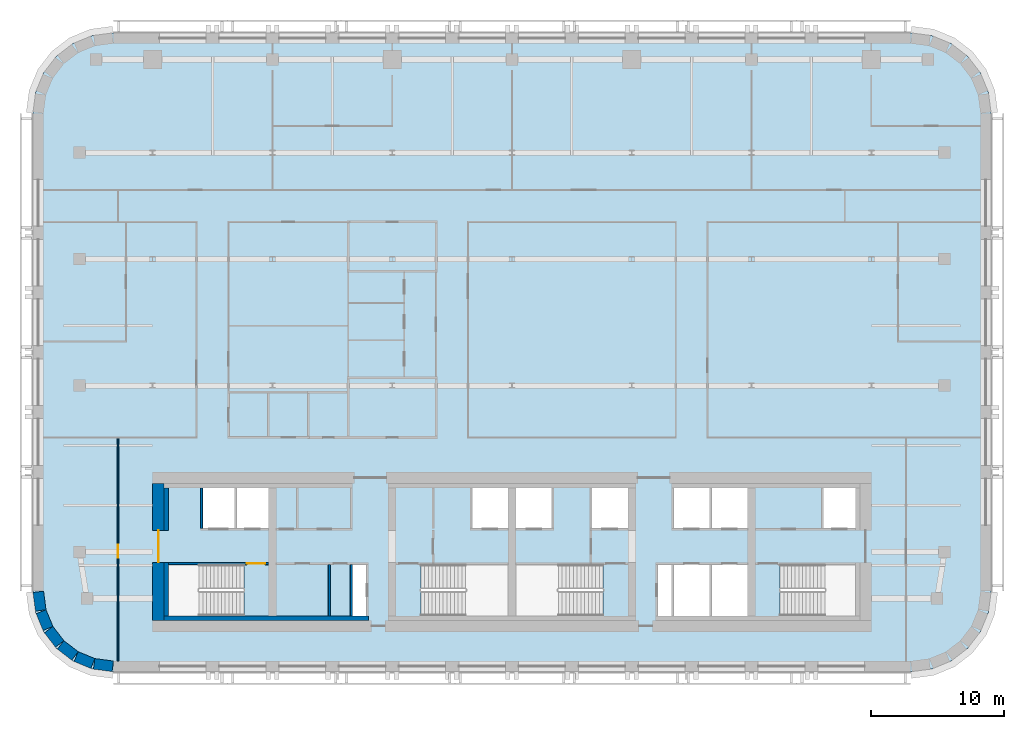
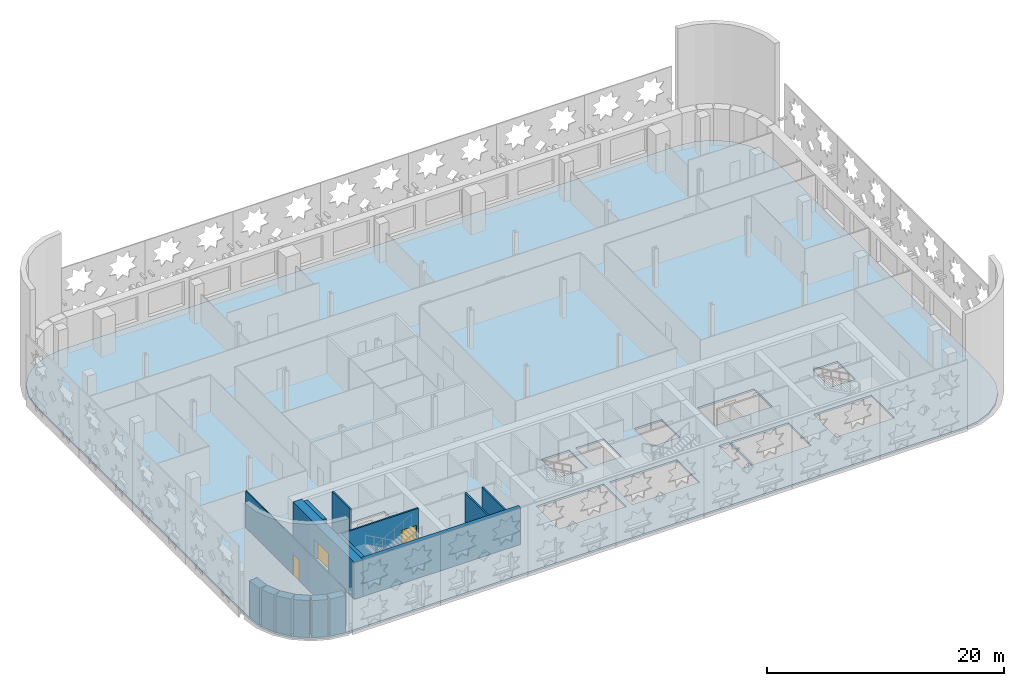
# One storey, part 2 of 14: 15 walls, 3 doors, 1 slab, 3 openings.
"""IFC4 building model written with IfcOpenShell, lengths in metres."""

import ifcopenshell
import ifcopenshell.guid

model = None  # the IFC model being written
_history = None  # IfcOwnerHistory: only IFC2X3 demands one
_inside = {}  # id of a spatial element -> (the spatial element, [elements in it])
_under = {}  # id of a project, library or spatial element -> (it, [spatial elements below it])
_declared = {}  # id of a project -> (the project, [libraries it declares])
_typed = {}  # id of a type object -> (the type object, [elements of that type])
_made_of = {}  # id of a material, layer set ... -> (it, [elements and type objects made of it])


def new_model(schema):
    """Start an empty IFC model of exactly this schema.

    Asked for "IFC4X3", IfcOpenShell would pick the latest addendum, in which some entities
    have other attributes; the version numbers below select the first issue.
    IFC2X3 requires an IfcOwnerHistory on every rooted entity: one is made here for all.
    """
    global model, _history
    if schema == "IFC4X3":
        model = ifcopenshell.file(schema_version=(4, 3, 0, 0))
    else:
        model = ifcopenshell.file(schema=schema)
    _inside.clear()
    _under.clear()
    _declared.clear()
    _typed.clear()
    _made_of.clear()
    _history = None
    if model.schema == "IFC2X3":
        org = make("IfcOrganization", Name="unknown")
        user = make(
            "IfcPersonAndOrganization",
            ThePerson=make("IfcPerson", FamilyName="unknown"),
            TheOrganization=org,
        )
        app = make(
            "IfcApplication",
            ApplicationDeveloper=org,
            Version="unknown",
            ApplicationFullName="unknown",
            ApplicationIdentifier="unknown",
        )
        _history = make(
            "IfcOwnerHistory",
            OwningUser=user,
            OwningApplication=app,
            ChangeAction="ADDED",
            CreationDate=0,
        )
    return model


def make(cls, **values):
    """One entity of the class cls with the attributes given. An attribute that is None is left unset."""
    return model.create_entity(
        cls, **{name: value for name, value in values.items() if value is not None}
    )


def rooted(cls, **values):
    """An entity with a GlobalId (a new one), such as an element, a storey or a relation."""
    return make(cls, GlobalId=ifcopenshell.guid.new(), OwnerHistory=_history, **values)


def si_unit(unit_type, name, prefix=None):
    """IfcSIUnit, for example si_unit("LENGTHUNIT", "METRE", prefix="MILLI")."""
    return make("IfcSIUnit", UnitType=unit_type, Prefix=prefix, Name=name)


def assignment(units):
    """IfcUnitAssignment: the units of a project."""
    return None if units is None else make("IfcUnitAssignment", Units=units)


def point(xyz):
    """IfcCartesianPoint."""
    return None if xyz is None else make("IfcCartesianPoint", Coordinates=xyz)


def direction(xyz):
    """IfcDirection."""
    return None if xyz is None else make("IfcDirection", DirectionRatios=xyz)


def frame(location, z_axis=None, x_axis=None):
    """IfcAxis2Placement3D, a coordinate frame: its origin and axes. An axis left out is left unset."""
    return make(
        "IfcAxis2Placement3D",
        Location=point(location),
        Axis=direction(z_axis),
        RefDirection=direction(x_axis),
    )


def frame_2d(location, x_axis=None):
    """IfcAxis2Placement2D, a coordinate frame in the plane: its origin and x axis."""
    return make(
        "IfcAxis2Placement2D", Location=point(location), RefDirection=direction(x_axis)
    )


def origin():
    """The frame at (0, 0, 0) with its axes left unset."""
    return frame((0.0, 0.0, 0.0))


def place(relative_to, where):
    """IfcLocalPlacement: puts the frame where relative to a parent placement (None: the world)."""
    return make(
        "IfcLocalPlacement", PlacementRelTo=relative_to, RelativePlacement=where
    )


def context(
    kind, dimensions, precision=None, world=None, true_north=None, identifier=None
):
    """IfcGeometricRepresentationContext, for example the 3D "Model" context."""
    return make(
        "IfcGeometricRepresentationContext",
        ContextIdentifier=identifier,
        ContextType=kind,
        CoordinateSpaceDimension=dimensions,
        Precision=precision,
        WorldCoordinateSystem=world,
        TrueNorth=true_north,
    )


def subcontext(parent, identifier, kind, view, scale=None):
    """IfcGeometricRepresentationSubContext, for example "Body" below "Model"."""
    return make(
        "IfcGeometricRepresentationSubContext",
        ContextIdentifier=identifier,
        ContextType=kind,
        ParentContext=parent,
        TargetScale=scale,
        TargetView=view,
    )


def project(units=None, contexts=None):
    """IfcProject with its units and contexts."""
    return rooted(
        "IfcProject",
        Name="project",
        RepresentationContexts=contexts,
        UnitsInContext=assignment(units),
    )


def spatial(cls, under=None, at=None, **own):
    """A site, building, storey or space (cls), placed at a placement, below another one or the project."""
    s = rooted(cls, ObjectPlacement=at, **own)
    if under is not None:
        _under.setdefault(under.id(), (under, []))[1].append(s)
    return s


def polyline(points):
    """IfcPolyline through the points."""
    return make("IfcPolyline", Points=[point(p) for p in points])


def profile(cls, at=None, kind="AREA", **sizes):
    """A parametric profile (cls). Its sizes go by their IFC names, for example OverallWidth=200.0."""
    return make(cls, ProfileType=kind, Position=at, **sizes)


def rectangle(**sizes):
    """IfcRectangleProfileDef."""
    return profile("IfcRectangleProfileDef", **sizes)


def outline(outer, holes=None, kind="AREA"):
    """IfcArbitraryClosedProfileDef: a profile drawn as a closed curve; with holes, ...WithVoids."""
    if holes is None:
        return make("IfcArbitraryClosedProfileDef", ProfileType=kind, OuterCurve=outer)
    return make(
        "IfcArbitraryProfileDefWithVoids",
        ProfileType=kind,
        OuterCurve=outer,
        InnerCurves=holes,
    )


def extrude(swept, where, along, depth):
    """IfcExtrudedAreaSolid: the profile swept, set in the frame where, extruded along a direction by depth."""
    return make(
        "IfcExtrudedAreaSolid",
        SweptArea=swept,
        Position=where,
        ExtrudedDirection=direction(along),
        Depth=depth,
    )


def shape(context_of_items, identifier, shape_type, items):
    """IfcShapeRepresentation: the items that make up one representation, for example the "Body"."""
    return make(
        "IfcShapeRepresentation",
        ContextOfItems=context_of_items,
        RepresentationIdentifier=identifier,
        RepresentationType=shape_type,
        Items=items,
    )


def material(Name=None, Category=None):
    """IfcMaterial."""
    return make("IfcMaterial", Name=Name, Category=Category)


def layer(
    of_material, thickness, ventilated=None, Name=None, Category=None, Priority=None
):
    """IfcMaterialLayer: one layer of a wall or slab, of a material (None: an air gap)."""
    return make(
        "IfcMaterialLayer",
        Material=of_material,
        LayerThickness=thickness,
        IsVentilated=ventilated,
        Name=Name,
        Category=Category,
        Priority=Priority,
    )


def layer_set(layers, Name=None):
    """IfcMaterialLayerSet."""
    return make("IfcMaterialLayerSet", MaterialLayers=layers, LayerSetName=Name)


def made_of(thing, what):
    """Note that an element or type object is made of a material, layer set ...; save() writes the relation."""
    if what is not None:
        _made_of.setdefault(what.id(), (what, []))[1].append(thing)
    return thing


def type_object(cls, material=None, **own):
    """A type object (cls), such as IfcWallType, which elements share."""
    return made_of(rooted(cls, **own), material)


def element(
    cls,
    number,
    at=None,
    inside=None,
    cuts=None,
    type_object=None,
    material=None,
    context=None,
    identifier="Body",
    shape_type=None,
    held_by="IfcProductDefinitionShape",
    body=None,
    shapes=None,
    **own,
):
    """One element of the class cls, such as IfcWall. Its Tag is "e" and its number.

    at: its placement. inside: the storey or other place that contains it. cuts: it is an
    opening in that element (IfcRelVoidsElement). A single representation is given by context,
    identifier, shape_type and body (its items); several are given by shapes. held_by: the class
    of the entity that holds the representations. save() writes the other relations.
    """
    e = rooted(cls, Tag="e%d" % number, ObjectPlacement=at, **own)
    if body is not None:
        shapes = [shape(context, identifier, shape_type, body)]
    if shapes is not None:
        e.Representation = make(held_by, Representations=shapes)
    if inside is not None:
        _inside.setdefault(inside.id(), (inside, []))[1].append(e)
    if cuts is not None:
        rooted(
            "IfcRelVoidsElement", RelatingBuildingElement=cuts, RelatedOpeningElement=e
        )
    if type_object is not None:
        _typed.setdefault(type_object.id(), (type_object, []))[1].append(e)
    return made_of(e, material)


def fill(opening, filler):
    """IfcRelFillsElement: the door or window that sits in an opening."""
    return rooted(
        "IfcRelFillsElement",
        RelatingOpeningElement=opening,
        RelatedBuildingElement=filler,
    )


def aggregate(whole, parts):
    """IfcRelAggregates: a whole, such as a stair, and the parts it consists of."""
    return rooted("IfcRelAggregates", RelatingObject=whole, RelatedObjects=parts)


def save(model, path):
    """Write the relations noted so far, then the file.

    IfcRelAggregates (storeys below a building ...), IfcRelContainedInSpatialStructure (elements
    in a storey), IfcRelDefinesByType, IfcRelAssociatesMaterial and IfcRelDeclares: one each for
    every whole, place, type object, material and project.
    """
    for whole, parts in _under.values():
        aggregate(whole, parts)
    for where, things in _inside.values():
        rooted(
            "IfcRelContainedInSpatialStructure",
            RelatedElements=things,
            RelatingStructure=where,
        )
    for kind, things in _typed.values():
        rooted("IfcRelDefinesByType", RelatedObjects=things, RelatingType=kind)
    for what, things in _made_of.values():
        rooted("IfcRelAssociatesMaterial", RelatedObjects=things, RelatingMaterial=what)
    for by, libraries in _declared.values():
        rooted("IfcRelDeclares", RelatingContext=by, RelatedDefinitions=libraries)
    model.write(path)


model = new_model("IFC4")

# Units and contexts
model_context = context("Model", 3, precision=1e-05, world=origin(), true_north=direction((0.0, 1.0)))
body_context = subcontext(model_context, "Body", "Model", "MODEL_VIEW")
ifc_project = project(units=[si_unit("LENGTHUNIT", "METRE"), si_unit("AREAUNIT", "SQUARE_METRE"), si_unit("VOLUMEUNIT", "CUBIC_METRE"), si_unit("PLANEANGLEUNIT", "RADIAN"), si_unit("MASSUNIT", "GRAM", prefix="KILO")], contexts=[model_context])

# Site, building, storey
site_placement = place(None, origin())
site = spatial("IfcSite", under=ifc_project, at=site_placement, CompositionType="ELEMENT")
building_placement = place(site_placement, origin())
building = spatial("IfcBuilding", under=site, at=building_placement, Name="Zellij Exchange Tower", CompositionType="ELEMENT")
storey_placement = place(building_placement, frame((0.0, 0.0, 164.5)))
storey = spatial("IfcBuildingStorey", under=building, at=storey_placement, Name="L37", CompositionType="ELEMENT", Elevation=164.5)

# Slab
ifc_material_1 = material(Name="Concrete C40/50", Category="concrete")
ifc_layer_1 = layer(ifc_material_1, 0.199951171875)
ifc_layer_set_1 = layer_set([ifc_layer_1], Name="Concrete C40/50")
slab_type = type_object("IfcSlabType", Name="STR-FLOOR SLAB 200 C40/50", PredefinedType="FLOOR", material=ifc_layer_set_1)
slab_placement = place(storey_placement, frame((0.0, 0.0, -0.2001953125)))
element("IfcSlab", 1, at=slab_placement, inside=storey, type_object=slab_type, Name="Floor L37", PredefinedType="FLOOR", context=body_context, shape_type="SweptSolid", body=[
    extrude(outline(polyline([(-30.0, -17.0), (-31.552978515625, -16.795654296875), (-33.0, -16.1962890625), (-34.24267578125, -15.24267578125), (-35.1962890625, -14.0), (-35.795654296875, -12.552978515625), (-36.0, -11.0), (-36.0, 25.0), (-35.795654296875, 26.552978515625), (-35.1962890625, 28.0), (-34.24267578125, 29.24267578125), (-33.0, 30.1962890625), (-31.552978515625, 30.795654296875), (-30.0, 31.0), (30.0, 31.0), (31.552978515625, 30.795654296875), (33.0, 30.1962890625), (34.24267578125, 29.24267578125), (35.1962890625, 28.0), (35.795654296875, 26.552978515625), (36.0, 25.0), (36.0, -11.0), (35.795654296875, -12.552978515625), (35.1962890625, -14.0), (34.24267578125, -15.24267578125), (33.0, -16.1962890625), (31.552978515625, -16.795654296875), (30.0, -17.0), (-30.0, -17.0)]), holes=[polyline([(-25.800048828125, -8.949951171875), (-25.800048828125, -12.800048828125), (-20.153076171875, -12.800048828125), (-20.153076171875, -8.949951171875), (-25.800048828125, -8.949951171875)]), polyline([(-10.949951171875, -8.949951171875), (-12.0, -8.949951171875), (-12.0, -12.800048828125), (-10.949951171875, -12.800048828125), (-10.949951171875, -8.949951171875)]), polyline([(-0.300048828125, -8.949951171875), (-6.846923828125, -8.949951171875), (-6.846923828125, -12.800048828125), (-0.300048828125, -12.800048828125), (-0.300048828125, -8.949951171875)]), polyline([(0.300048828125, -8.949951171875), (0.300048828125, -12.800048828125), (6.846923828125, -12.800048828125), (6.846923828125, -8.949951171875), (0.300048828125, -8.949951171875)]), polyline([(-18.300048828125, -3.199951171875), (-23.25, -3.199951171875), (-23.25, -6.22509765625), (-18.300048828125, -6.22509765625), (-18.300048828125, -3.199951171875)]), polyline([(-0.300048828125, -3.199951171875), (-3.0, -3.199951171875), (-3.0, -6.22509765625), (-0.300048828125, -6.22509765625), (-0.300048828125, -3.199951171875)]), polyline([(0.300048828125, -3.199951171875), (0.300048828125, -6.22509765625), (3.0, -6.22509765625), (3.0, -3.199951171875), (0.300048828125, -3.199951171875)]), polyline([(12.0, -8.949951171875), (10.949951171875, -8.949951171875), (10.949951171875, -12.800048828125), (12.0, -12.800048828125), (12.0, -8.949951171875)]), polyline([(17.699951171875, -8.949951171875), (12.14990234375, -8.949951171875), (12.14990234375, -12.800048828125), (17.699951171875, -12.800048828125), (17.699951171875, -8.949951171875)]), polyline([(25.800048828125, -8.949951171875), (20.153076171875, -8.949951171875), (20.153076171875, -12.800048828125), (25.800048828125, -12.800048828125), (25.800048828125, -8.949951171875)]), polyline([(8.699951171875, -3.199951171875), (6.0, -3.199951171875), (6.0, -6.22509765625), (8.699951171875, -6.22509765625), (8.699951171875, -3.199951171875)]), polyline([(17.699951171875, -3.199951171875), (12.14990234375, -3.199951171875), (12.14990234375, -6.22509765625), (17.699951171875, -6.22509765625), (17.699951171875, -3.199951171875)]), polyline([(25.800048828125, -3.199951171875), (23.39990234375, -3.199951171875), (23.39990234375, -6.22509765625), (25.800048828125, -6.22509765625), (25.800048828125, -3.199951171875)])]), origin(), (0.0, 0.0, 1.0), 0.2001953125),
])

# Walls
ifc_material_2 = material(Name="Concrete C30/37", Category="concrete")
ifc_layer_2 = layer(ifc_material_2, 0.35009765625)
ifc_layer_set_2 = layer_set([ifc_layer_2], Name="Concrete C30/37")
wall_type_1 = type_object("IfcWallType", Name="CORE-LW 350 C30/37", PredefinedType="SHEAR", material=ifc_layer_set_2)
wall_1_placement = place(storey_placement, frame((-26.14990234375, -12.97509765625, 0.0), z_axis=(0.0, 0.0, 1.0), x_axis=(1.0, 0.0, 0.0)))
element("IfcWall", 2, at=wall_1_placement, inside=storey, type_object=wall_type_1, Name="Core wall lining rear.0 L37", PredefinedType="SHEAR", context=body_context, shape_type="SweptSolid", body=[
    extrude(rectangle(XDim=15.349853515625, YDim=0.35009765625, at=frame_2d((7.6748046875, 0.0))), origin(), (0.0, 0.0, 1.0), 3.800048828125),
])
wall_2_placement = place(storey_placement, frame((-25.97509765625, -12.800048828125, 0.0), z_axis=(0.0, 0.0, 1.0), x_axis=(0.0, 1.0, 0.0)))
element("IfcWall", 3, at=wall_2_placement, inside=storey, type_object=wall_type_1, Name="Core wall lining end w.0 L37", PredefinedType="SHEAR", context=body_context, shape_type="SweptSolid", body=[
    extrude(rectangle(XDim=4.0, YDim=0.35009765625, at=frame_2d((2.0, 0.0))), origin(), (0.0, 0.0, 1.0), 3.800048828125),
])
wall_3_placement = place(storey_placement, frame((-25.97509765625, -6.375, 0.0), z_axis=(0.0, 0.0, 1.0), x_axis=(0.0, 1.0, 0.0)))
element("IfcWall", 4, at=wall_3_placement, inside=storey, type_object=wall_type_1, Name="Core wall lining end w.1 L37", PredefinedType="SHEAR", context=body_context, shape_type="SweptSolid", body=[
    extrude(rectangle(XDim=3.175048828125, YDim=0.35009765625, at=frame_2d((1.58740234375, 0.0))), origin(), (0.0, 0.0, 1.0), 3.800048828125),
])
ifc_material_3 = material(Name="Gypsum board partition")
ifc_layer_3 = layer(ifc_material_3, 0.14990234375)
ifc_layer_set_3 = layer_set([ifc_layer_3], Name="Gypsum board partition")
wall_type_2 = type_object("IfcWallType", Name="CORE-PW 150 Lift lobby wall", PredefinedType="PARTITIONING", material=ifc_layer_set_3)
for number, where, z_axis, x_axis, name in (
    (5, (-12.074951171875, -12.800048828125, 0.0), (0.0, 0.0, 1.0), (0.0, 1.0, 0.0), "Lift lobby wall L37"),
    (6, (-13.72509765625, -12.800048828125, 0.0), (0.0, 0.0, 1.0), (0.0, 1.0, 0.0), "Lift lobby wall L37"),
):
    element("IfcWall", number, at=place(storey_placement, frame(where, z_axis=z_axis, x_axis=x_axis)), inside=storey, type_object=wall_type_2, Name=name, PredefinedType="PARTITIONING", context=body_context, shape_type="SweptSolid", body=[
        extrude(rectangle(XDim=3.85009765625, YDim=0.14990234375, at=frame_2d((1.925048828125, 0.0))), origin(), (0.0, 0.0, 1.0), 3.800048828125),
    ])
ifc_material_4 = material(Name="Gypsum shaft wall system")
ifc_layer_4 = layer(ifc_material_4, 0.14990234375)
ifc_layer_set_4 = layer_set([ifc_layer_4], Name="Gypsum shaft wall system")
wall_type_3 = type_object("IfcWallType", Name="CORE-PW 150 Lift shaft wall", PredefinedType="PARTITIONING", material=ifc_layer_set_4)
wall_4_placement = place(storey_placement, frame((-23.324951171875, -6.22509765625, 0.0), z_axis=(0.0, 0.0, 1.0), x_axis=(0.0, 1.0, 0.0)))
element("IfcWall", 7, at=wall_4_placement, inside=storey, type_object=wall_type_3, Name="Lift shaft wall L37", PredefinedType="PARTITIONING", context=body_context, shape_type="SweptSolid", body=[
    extrude(rectangle(XDim=3.025146484375, YDim=0.14990234375, at=frame_2d((1.5126953125, 0.0))), origin(), (0.0, 0.0, 1.0), 3.800048828125),
])

# Wall, opening, door
ifc_material_5 = material(Name="Concrete C60/75", Category="concrete")
ifc_layer_5 = layer(ifc_material_5, 0.85009765625)
ifc_layer_set_5 = layer_set([ifc_layer_5], Name="Concrete C60/75")
wall_type_4 = type_object("IfcWallType", Name="CORE-SW 850 C60/75", PredefinedType="SHEAR", material=ifc_layer_set_5)
wall_5_placement = place(storey_placement, frame((-26.574951171875, -13.14990234375, 0.0), z_axis=(0.0, 0.0, 1.0), x_axis=(0.0, 1.0, 0.0)))
wall_5 = element("IfcWall", 8, at=wall_5_placement, inside=storey, type_object=wall_type_4, Name="Core shear wall end w L37", PredefinedType="SHEAR", context=body_context, shape_type="SweptSolid", body=[
    extrude(rectangle(XDim=10.2998046875, YDim=0.85009765625, at=frame_2d((5.14990234375, 0.0))), origin(), (0.0, 0.0, 1.0), 3.800048828125),
])
opening_1_placement = place(wall_5_placement, frame((4.362060546875, 0.0, 0.0)))
opening_1 = element("IfcOpeningElement", 9, at=opening_1_placement, cuts=wall_5, Name="Opening CA-21.01", PredefinedType="OPENING", context=body_context, shape_type="SweptSolid", body=[
    extrude(rectangle(XDim=2.39990234375, YDim=2.10009765625, at=frame_2d((1.199951171875, 1.050048828125))), frame((0.0, 0.43701171875, 0.0), z_axis=(0.0, -1.0, 0.0), x_axis=(1.0, 0.0, 0.0)), (0.0, 0.0, 1.0), 0.8740234375),
])
ifc_material_6 = material(Name="Hollow metal fire door")
door_type_1 = type_object("IfcDoorType", Name="CORE-D CE Core entrance door 2400x2100 20 MIN", OperationType="NOTDEFINED", PredefinedType="DOOR", material=ifc_material_6)
door_1_placement = place(opening_1_placement, origin())
door_1 = element("IfcDoor", 10, at=door_1_placement, inside=storey, type_object=door_type_1, Name="Core entrance door CA-21.01", OperationType="DOUBLE_DOOR_SINGLE_SWING", OverallHeight=2.10009765625, OverallWidth=2.39990234375, PredefinedType="DOOR", context=body_context, shape_type="SweptSolid", body=[
    extrude(rectangle(XDim=2.39990234375, YDim=2.10009765625, at=frame_2d((1.199951171875, 1.050048828125))), frame((0.0, 0.02490234375, 0.0), z_axis=(0.0, -1.0, 0.0), x_axis=(1.0, 0.0, 0.0)), (0.0, 0.0, 1.0), 0.050048828125),
])
fill(opening_1, door_1)

ifc_layer_6 = layer(ifc_material_5, 0.14990234375)
ifc_layer_set_6 = layer_set([ifc_layer_6], Name="Concrete C60/75")
wall_type_5 = type_object("IfcWallType", Name="CORE-SWS 150 C60/75", PredefinedType="SHEAR", material=ifc_layer_set_6)
wall_6_placement = place(storey_placement, frame((-25.800048828125, -8.875, 0.0), z_axis=(0.0, 0.0, 1.0), x_axis=(1.0, 0.0, 0.0)))
wall_6 = element("IfcWall", 11, at=wall_6_placement, inside=storey, type_object=wall_type_5, Name="Stair enclosure wall L37", PredefinedType="SHEAR", context=body_context, shape_type="SweptSolid", body=[
    extrude(rectangle(XDim=7.5, YDim=0.14990234375, at=frame_2d((3.75, 0.0))), origin(), (0.0, 0.0, 1.0), 3.800048828125),
])
opening_2_placement = place(wall_6_placement, frame((5.875, 0.0, 0.0)))
opening_2 = element("IfcOpeningElement", 12, at=opening_2_placement, cuts=wall_6, Name="Opening CA-21.04", PredefinedType="OPENING", context=body_context, shape_type="SweptSolid", body=[
    extrude(rectangle(XDim=1.39990234375, YDim=2.10009765625, at=frame_2d((0.699951171875, 1.050048828125))), frame((0.0, 0.0869140625, 0.0), z_axis=(0.0, -1.0, 0.0), x_axis=(1.0, 0.0, 0.0)), (0.0, 0.0, 1.0), 0.173828125),
])
door_type_2 = type_object("IfcDoorType", Name="CORE-D SD Stair door 1400x2100 1.5 HR", OperationType="NOTDEFINED", PredefinedType="DOOR", material=ifc_material_6)
door_2_placement = place(opening_2_placement, origin())
door_2 = element("IfcDoor", 13, at=door_2_placement, inside=storey, type_object=door_type_2, Name="Stair door CA-21.04", OperationType="DOUBLE_DOOR_SINGLE_SWING", OverallHeight=2.10009765625, OverallWidth=1.39990234375, PredefinedType="DOOR", context=body_context, shape_type="SweptSolid", body=[
    extrude(rectangle(XDim=1.39990234375, YDim=2.10009765625, at=frame_2d((0.699951171875, 1.050048828125))), frame((0.0, 0.02490234375, 0.0), z_axis=(0.0, -1.0, 0.0), x_axis=(1.0, 0.0, 0.0)), (0.0, 0.0, 1.0), 0.050048828125),
])
fill(opening_2, door_2)

# Walls
ifc_material_7 = material(Name="Precast concrete C40/50", Category="concrete")
ifc_layer_7 = layer(ifc_material_7, 0.800048828125)
ifc_layer_set_7 = layer_set([ifc_layer_7], Name="Precast concrete C40/50")
wall_type_6 = type_object("IfcWallType", Name="ENV-EW1 Precast stone-piered wall 800", PredefinedType="SOLIDWALL", material=ifc_layer_set_7)
wall_7_placement = place(storey_placement, frame((-35.5966796875, -10.999755859375, 0.0), z_axis=(0.0, 0.0, 1.0), x_axis=(0.130517283865, -0.99144603414, 0.0)))
element("IfcWall", 14, at=wall_7_placement, inside=storey, type_object=wall_type_6, Name="fac.L37.22", PredefinedType="SOLIDWALL", context=body_context, shape_type="SweptSolid", body=[
    extrude(rectangle(XDim=1.408447265625, YDim=0.800048828125, at=frame_2d((0.7041015625, 0.0))), origin(), (0.0, 0.0, 1.0), 3.800048828125),
])
wall_8_placement = place(storey_placement, frame((-35.3857421875, -12.497314453125, 0.0), z_axis=(0.0, 0.0, 1.0), x_axis=(0.38276009378, -0.923847774587, 0.0)))
element("IfcWall", 15, at=wall_8_placement, inside=storey, type_object=wall_type_6, Name="fac.L37.23", PredefinedType="SOLIDWALL", context=body_context, shape_type="SweptSolid", body=[
    extrude(rectangle(XDim=1.35546875, YDim=0.800048828125, at=frame_2d((0.677734375, 0.0))), origin(), (0.0, 0.0, 1.0), 3.800048828125),
])
for number, where, z_axis, x_axis, name in (
    (16, (-34.814697265625, -13.840087890625, 0.0), (0.0, 0.0, 1.0), (0.608866226366, -0.793272915452, 0.0), "fac.L37.24"),
    (17, (-33.91552734375, -14.9892578125, 0.0), (0.0, 0.0, 1.0), (0.793272915452, -0.608866226366, 0.0), "fac.L37.25"),
):
    element("IfcWall", number, at=place(storey_placement, frame(where, z_axis=z_axis, x_axis=x_axis)), inside=storey, type_object=wall_type_6, Name=name, PredefinedType="SOLIDWALL", context=body_context, shape_type="SweptSolid", body=[
        extrude(rectangle(XDim=1.355712890625, YDim=0.800048828125, at=frame_2d((0.677734375, 0.0))), origin(), (0.0, 0.0, 1.0), 3.800048828125),
    ])
wall_9_placement = place(storey_placement, frame((-32.74951171875, -15.866943359375, 0.0), z_axis=(0.0, 0.0, 1.0), x_axis=(0.923847774587, -0.38276009378, 0.0)))
element("IfcWall", 18, at=wall_9_placement, inside=storey, type_object=wall_type_6, Name="fac.L37.26", PredefinedType="SOLIDWALL", context=body_context, shape_type="SweptSolid", body=[
    extrude(rectangle(XDim=1.35546875, YDim=0.800048828125, at=frame_2d((0.677734375, 0.0))), origin(), (0.0, 0.0, 1.0), 3.800048828125),
])
wall_10_placement = place(storey_placement, frame((-31.396240234375, -16.412841796875, 0.0), z_axis=(0.0, 0.0, 1.0), x_axis=(0.99144603414, -0.130517283865, 0.0)))
element("IfcWall", 19, at=wall_10_placement, inside=storey, type_object=wall_type_6, Name="fac.L37.27", PredefinedType="SOLIDWALL", context=body_context, shape_type="SweptSolid", body=[
    extrude(rectangle(XDim=1.408447265625, YDim=0.800048828125, at=frame_2d((0.7041015625, 0.0))), origin(), (0.0, 0.0, 1.0), 3.800048828125),
])

# Wall, opening, door
ifc_material_8 = material(Name="Gypsum board partition on steel studs", Category="steel")
ifc_layer_8 = layer(ifc_material_8, 0.10009765625)
ifc_layer_set_8 = layer_set([ifc_layer_8], Name="Gypsum board partition on steel studs")
wall_type_7 = type_object("IfcWallType", Name="FIT-PARTITION-100", PredefinedType="PARTITIONING", material=ifc_layer_set_8)
wall_11_placement = place(storey_placement, frame((-29.60009765625, -16.199951171875, 0.0), z_axis=(0.0, 0.0, 1.0), x_axis=(0.0, 1.0, 0.0)))
wall_11 = element("IfcWall", 20, at=wall_11_placement, inside=storey, type_object=wall_type_7, Name="FIT-PARTITION-100 001", PredefinedType="PARTITIONING", context=body_context, shape_type="SweptSolid", body=[
    extrude(rectangle(XDim=16.75, YDim=0.10009765625, at=frame_2d((8.375, 0.0))), origin(), (0.0, 0.0, 1.0), 3.800048828125),
])
opening_3_placement = place(wall_11_placement, frame((7.75, 0.0, 0.0)))
opening_3 = element("IfcOpeningElement", 21, at=opening_3_placement, cuts=wall_11, Name="Opening O3A.01", PredefinedType="OPENING", context=body_context, shape_type="SweptSolid", body=[
    extrude(rectangle(XDim=1.0, YDim=2.10009765625, at=frame_2d((0.5, 1.050048828125))), frame((0.0, 0.06201171875, 0.0), z_axis=(0.0, -1.0, 0.0), x_axis=(1.0, 0.0, 0.0)), (0.0, 0.0, 1.0), 0.1240234375),
])
ifc_material_9 = material(Name="Timber door set", Category="wood")
door_type_3 = type_object("IfcDoorType", Name="FIT-D2-WIDE-1000X2100", OperationType="SINGLE_SWING_LEFT", PredefinedType="DOOR", material=ifc_material_9)
door_3_placement = place(opening_3_placement, origin())
door_3 = element("IfcDoor", 22, at=door_3_placement, inside=storey, type_object=door_type_3, Name="Door O3A.01", OperationType="SINGLE_SWING_RIGHT", OverallHeight=2.10009765625, OverallWidth=1.0, PredefinedType="DOOR", context=body_context, shape_type="SweptSolid", body=[
    extrude(rectangle(XDim=1.0, YDim=2.10009765625, at=frame_2d((0.5, 1.050048828125))), frame((0.0, 0.02490234375, 0.0), z_axis=(0.0, -1.0, 0.0), x_axis=(1.0, 0.0, 0.0)), (0.0, 0.0, 1.0), 0.050048828125),
])
fill(opening_3, door_3)

save(model, "model.ifc")
